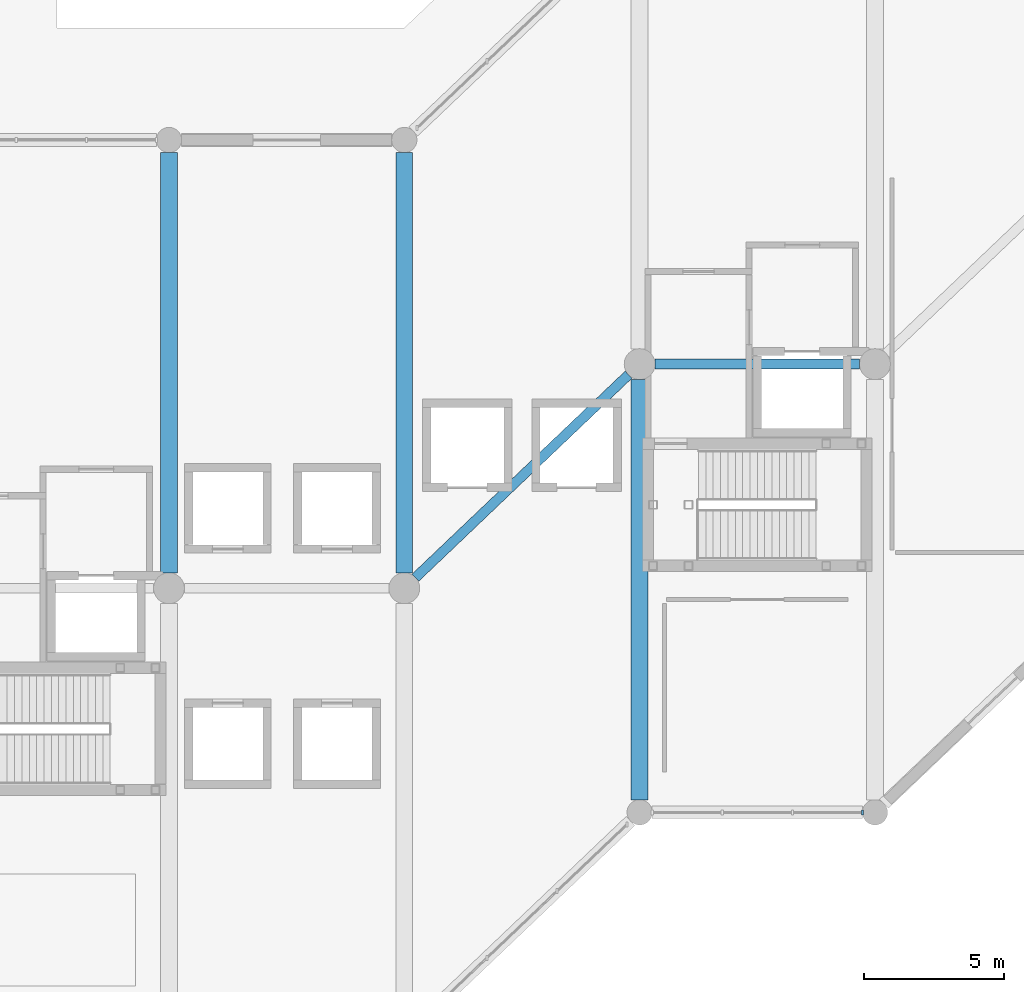
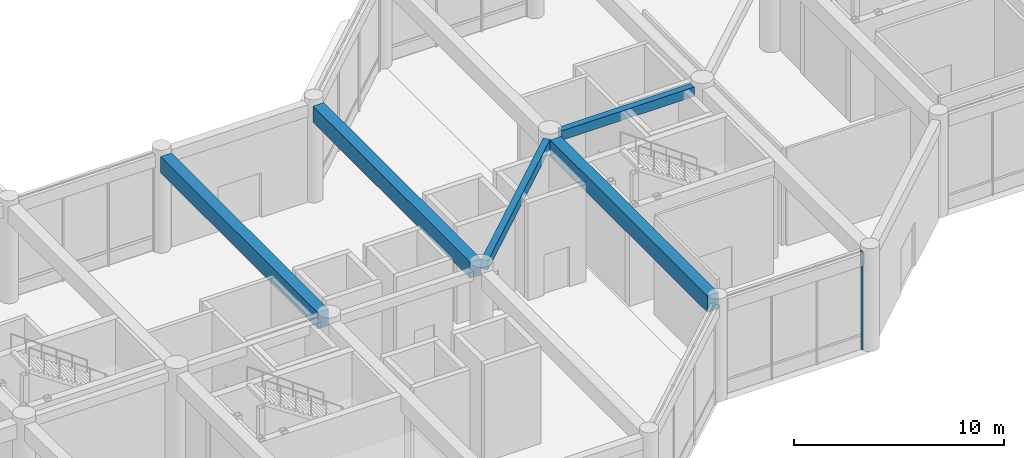
# One storey, part 39 of 76: 5 beams, 1 member, 1 element without a shape of its own.
"""IFC4 building model written with IfcOpenShell, lengths in metres."""

from ifc_helpers import new_model, si_unit, direction, frame, origin, origin_2d, place, context, subcontext, project, spatial, rectangle, extrude, material, layer, layer_set, material_profile, profile_set, type_object, element, aggregate, save


model = new_model("IFC4")

# Units and contexts
model_context = context("Model", 3, precision=1e-05, world=origin(), true_north=direction((0.0, 1.0)))
body_context = subcontext(model_context, "Body", "Model", "MODEL_VIEW")
ifc_project = project(units=[si_unit("LENGTHUNIT", "METRE"), si_unit("AREAUNIT", "SQUARE_METRE"), si_unit("VOLUMEUNIT", "CUBIC_METRE"), si_unit("PLANEANGLEUNIT", "RADIAN"), si_unit("MASSUNIT", "GRAM", prefix="KILO")], contexts=[model_context])

# Site, building, storey
site_placement = place(None, origin())
site = spatial("IfcSite", under=ifc_project, at=site_placement, CompositionType="ELEMENT")
building_placement = place(site_placement, origin())
building = spatial("IfcBuilding", under=site, at=building_placement, Name="Naruveol Harbour Congress Hotel", CompositionType="ELEMENT")
storey_placement = place(building_placement, origin())
storey = spatial("IfcBuildingStorey", under=building, at=storey_placement, Name="L00", CompositionType="ELEMENT", Elevation=0.0)

# Beams
ifc_material_1 = material(Name="Concrete C40/50", Category="concrete")
ifc_material_profile_1 = material_profile(ifc_material_1, rectangle(XDim=0.60009765625, YDim=0.949951171875, at=origin_2d()), Name="RCB-600x950")
ifc_profile_set_1 = profile_set([ifc_material_profile_1], Name="Concrete C40/50")
beam_type_1 = type_object("IfcBeamType", Name="RC LONG SPAN GIRDER 600X950", PredefinedType="BEAM", material=ifc_profile_set_1)
for number, where, z_axis, x_axis, name in (
    (1, (134.39990234375, 16.5458984375, 5.22509765625), (0.0, 1.0, 0.0), (-1.0, 0.0, 0.0), "Hotel pilotis girder L01 CB1"),
    (2, (142.800048828125, 16.5458984375, 5.22509765625), (0.0, 1.0, 0.0), (-1.0, 0.0, 0.0), "Hotel pilotis girder L01 CB1"),
    (3, (151.199951171875, 8.446044921875, 5.22509765625), (0.0, 1.0, 0.0), (-1.0, 0.0, 0.0), "Hotel pilotis girder L01 CB1"),
):
    element("IfcBeam", number, at=place(storey_placement, frame(where, z_axis=z_axis, x_axis=x_axis)), inside=storey, type_object=beam_type_1, Name=name, PredefinedType="BEAM", context=body_context, shape_type="SweptSolid", body=[
        extrude(rectangle(XDim=0.60009765625, YDim=0.949951171875, at=origin_2d()), origin(), (0.0, 0.0, 1.0), 15.008056640625),
    ])
ifc_material_2 = material(Name="Concrete C40/50", Category="concrete")
ifc_material_profile_2 = material_profile(ifc_material_2, rectangle(XDim=0.35009765625, YDim=0.550048828125, at=origin_2d()), Name="RCB-350x550")
ifc_profile_set_2 = profile_set([ifc_material_profile_2], Name="Concrete C40/50")
beam_type_2 = type_object("IfcBeamType", Name="RC SECONDARY BEAM 350X550", PredefinedType="JOIST", material=ifc_profile_set_2)
beam_1_placement = place(storey_placement, frame((143.1953125, 16.376708984375, 5.425048828125), z_axis=(0.724158926988, 0.68963312599, 0.0), x_axis=(-0.68963312599, 0.724158926988, 0.0)))
element("IfcBeam", 4, at=beam_1_placement, inside=storey, type_object=beam_type_2, Name="Hotel chord beam L01 CJ1", PredefinedType="JOIST", context=body_context, shape_type="SweptSolid", body=[
    extrude(rectangle(XDim=0.35009765625, YDim=0.550048828125, at=origin_2d()), origin(), (0.0, 0.0, 1.0), 10.5078125),
])
beam_2_placement = place(storey_placement, frame((151.74609375, 24.0, 5.425048828125), z_axis=(1.0, 0.0, 0.0), x_axis=(0.0, 1.0, 0.0)))
element("IfcBeam", 5, at=beam_2_placement, inside=storey, type_object=beam_type_2, Name="Hotel chord beam L01 CJ1", PredefinedType="JOIST", context=body_context, shape_type="SweptSolid", body=[
    extrude(rectangle(XDim=0.35009765625, YDim=0.550048828125, at=origin_2d()), origin(), (0.0, 0.0, 1.0), 7.307861328125),
])

# Curtain wall, member
ifc_material_3 = material(Name="Low-E Curtain Wall System", Category="glass")
ifc_layer = layer(ifc_material_3, 0.179931640625)
ifc_layer_set = layer_set([ifc_layer], Name="Low-E Curtain Wall System")
curtain_wall_type = type_object("IfcCurtainWallType", Name="UNITISED CURTAIN WALL CW-V5S-46 7500X5720", PredefinedType="USERDEFINED", material=ifc_layer_set)
curtain_wall_placement = place(storey_placement, origin())
curtain_wall = element("IfcCurtainWall", 6, at=curtain_wall_placement, inside=storey, type_object=curtain_wall_type, Name="Unitised curtain wall CW-V5S-46 L00", ObjectType="UNITISED GLAZING", PredefinedType="USERDEFINED")
ifc_material_4 = material(Name="Anodised Aluminium 6063-T6", Category="aluminium")
ifc_material_profile_3 = material_profile(ifc_material_4, rectangle(XDim=0.074951171875, YDim=0.179931640625, at=origin_2d()), Name="ALU-75x180")
ifc_profile_set_3 = profile_set([ifc_material_profile_3], Name="Anodised Aluminium 6063-T6")
member_type = type_object("IfcMemberType", Name="THERMAL ALUMINIUM MULLION 75X180", PredefinedType="MULLION", material=ifc_profile_set_3)
member_placement = place(storey_placement, frame((159.14990234375, 8.0, 0.0), z_axis=(0.0, 0.0, 1.0), x_axis=(1.0, 0.0, 0.0)))
member = element("IfcMember", 7, at=member_placement, type_object=member_type, Name="Curtain wall mullion CW-L00-0130-M0", PredefinedType="MULLION", context=body_context, shape_type="SweptSolid", body=[
    extrude(rectangle(XDim=0.074951171875, YDim=0.179931640625, at=origin_2d()), origin(), (0.0, 0.0, 1.0), 5.719970703125),
])
aggregate(curtain_wall, [member])

save(model, "model.ifc")
